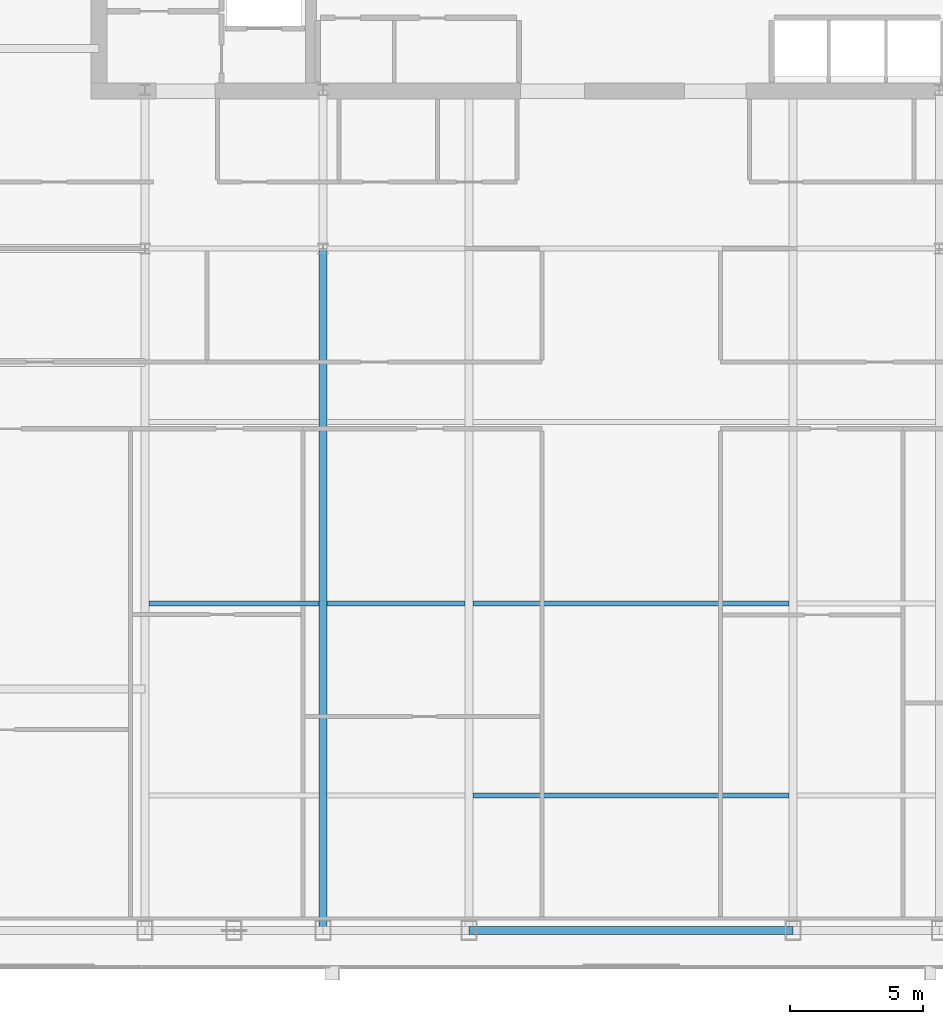
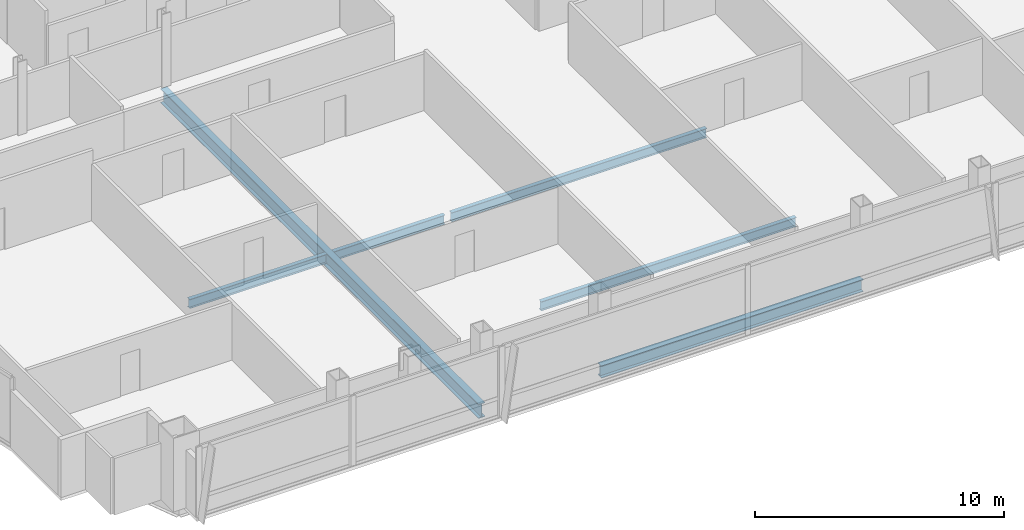
# One storey, part 9 of 30: 6 beams.
"""IFC4 building model written with IfcOpenShell, lengths in metres."""

import ifcopenshell
import ifcopenshell.guid

model = None  # the IFC model being written
_history = None  # IfcOwnerHistory: only IFC2X3 demands one
_inside = {}  # id of a spatial element -> (the spatial element, [elements in it])
_under = {}  # id of a project, library or spatial element -> (it, [spatial elements below it])
_declared = {}  # id of a project -> (the project, [libraries it declares])
_typed = {}  # id of a type object -> (the type object, [elements of that type])
_made_of = {}  # id of a material, layer set ... -> (it, [elements and type objects made of it])


def new_model(schema):
    """Start an empty IFC model of exactly this schema.

    Asked for "IFC4X3", IfcOpenShell would pick the latest addendum, in which some entities
    have other attributes; the version numbers below select the first issue.
    IFC2X3 requires an IfcOwnerHistory on every rooted entity: one is made here for all.
    """
    global model, _history
    if schema == "IFC4X3":
        model = ifcopenshell.file(schema_version=(4, 3, 0, 0))
    else:
        model = ifcopenshell.file(schema=schema)
    _inside.clear()
    _under.clear()
    _declared.clear()
    _typed.clear()
    _made_of.clear()
    _history = None
    if model.schema == "IFC2X3":
        org = make("IfcOrganization", Name="unknown")
        user = make(
            "IfcPersonAndOrganization",
            ThePerson=make("IfcPerson", FamilyName="unknown"),
            TheOrganization=org,
        )
        app = make(
            "IfcApplication",
            ApplicationDeveloper=org,
            Version="unknown",
            ApplicationFullName="unknown",
            ApplicationIdentifier="unknown",
        )
        _history = make(
            "IfcOwnerHistory",
            OwningUser=user,
            OwningApplication=app,
            ChangeAction="ADDED",
            CreationDate=0,
        )
    return model


def make(cls, **values):
    """One entity of the class cls with the attributes given. An attribute that is None is left unset."""
    return model.create_entity(
        cls, **{name: value for name, value in values.items() if value is not None}
    )


def rooted(cls, **values):
    """An entity with a GlobalId (a new one), such as an element, a storey or a relation."""
    return make(cls, GlobalId=ifcopenshell.guid.new(), OwnerHistory=_history, **values)


def si_unit(unit_type, name, prefix=None):
    """IfcSIUnit, for example si_unit("LENGTHUNIT", "METRE", prefix="MILLI")."""
    return make("IfcSIUnit", UnitType=unit_type, Prefix=prefix, Name=name)


def assignment(units):
    """IfcUnitAssignment: the units of a project."""
    return None if units is None else make("IfcUnitAssignment", Units=units)


def point(xyz):
    """IfcCartesianPoint."""
    return None if xyz is None else make("IfcCartesianPoint", Coordinates=xyz)


def direction(xyz):
    """IfcDirection."""
    return None if xyz is None else make("IfcDirection", DirectionRatios=xyz)


def frame(location, z_axis=None, x_axis=None):
    """IfcAxis2Placement3D, a coordinate frame: its origin and axes. An axis left out is left unset."""
    return make(
        "IfcAxis2Placement3D",
        Location=point(location),
        Axis=direction(z_axis),
        RefDirection=direction(x_axis),
    )


def frame_2d(location, x_axis=None):
    """IfcAxis2Placement2D, a coordinate frame in the plane: its origin and x axis."""
    return make(
        "IfcAxis2Placement2D", Location=point(location), RefDirection=direction(x_axis)
    )


def origin():
    """The frame at (0, 0, 0) with its axes left unset."""
    return frame((0.0, 0.0, 0.0))


def origin_2d():
    """The frame at (0, 0) in the plane with its x axis left unset."""
    return frame_2d((0.0, 0.0))


def place(relative_to, where):
    """IfcLocalPlacement: puts the frame where relative to a parent placement (None: the world)."""
    return make(
        "IfcLocalPlacement", PlacementRelTo=relative_to, RelativePlacement=where
    )


def context(
    kind, dimensions, precision=None, world=None, true_north=None, identifier=None
):
    """IfcGeometricRepresentationContext, for example the 3D "Model" context."""
    return make(
        "IfcGeometricRepresentationContext",
        ContextIdentifier=identifier,
        ContextType=kind,
        CoordinateSpaceDimension=dimensions,
        Precision=precision,
        WorldCoordinateSystem=world,
        TrueNorth=true_north,
    )


def subcontext(parent, identifier, kind, view, scale=None):
    """IfcGeometricRepresentationSubContext, for example "Body" below "Model"."""
    return make(
        "IfcGeometricRepresentationSubContext",
        ContextIdentifier=identifier,
        ContextType=kind,
        ParentContext=parent,
        TargetScale=scale,
        TargetView=view,
    )


def project(units=None, contexts=None):
    """IfcProject with its units and contexts."""
    return rooted(
        "IfcProject",
        Name="project",
        RepresentationContexts=contexts,
        UnitsInContext=assignment(units),
    )


def spatial(cls, under=None, at=None, **own):
    """A site, building, storey or space (cls), placed at a placement, below another one or the project."""
    s = rooted(cls, ObjectPlacement=at, **own)
    if under is not None:
        _under.setdefault(under.id(), (under, []))[1].append(s)
    return s


def profile(cls, at=None, kind="AREA", **sizes):
    """A parametric profile (cls). Its sizes go by their IFC names, for example OverallWidth=200.0."""
    return make(cls, ProfileType=kind, Position=at, **sizes)


def i_section(**sizes):
    """IfcIShapeProfileDef."""
    return profile("IfcIShapeProfileDef", **sizes)


def extrude(swept, where, along, depth):
    """IfcExtrudedAreaSolid: the profile swept, set in the frame where, extruded along a direction by depth."""
    return make(
        "IfcExtrudedAreaSolid",
        SweptArea=swept,
        Position=where,
        ExtrudedDirection=direction(along),
        Depth=depth,
    )


def shape(context_of_items, identifier, shape_type, items):
    """IfcShapeRepresentation: the items that make up one representation, for example the "Body"."""
    return make(
        "IfcShapeRepresentation",
        ContextOfItems=context_of_items,
        RepresentationIdentifier=identifier,
        RepresentationType=shape_type,
        Items=items,
    )


def material(Name=None, Category=None):
    """IfcMaterial."""
    return make("IfcMaterial", Name=Name, Category=Category)


def material_profile(
    of_material, cross_section, Name=None, Category=None, Priority=None
):
    """IfcMaterialProfile: a cross section and its material."""
    return make(
        "IfcMaterialProfile",
        Name=Name,
        Material=of_material,
        Profile=cross_section,
        Priority=Priority,
        Category=Category,
    )


def profile_set(profiles, Name=None, composite=None):
    """IfcMaterialProfileSet."""
    return make(
        "IfcMaterialProfileSet",
        Name=Name,
        MaterialProfiles=profiles,
        CompositeProfile=composite,
    )


def made_of(thing, what):
    """Note that an element or type object is made of a material, layer set ...; save() writes the relation."""
    if what is not None:
        _made_of.setdefault(what.id(), (what, []))[1].append(thing)
    return thing


def type_object(cls, material=None, **own):
    """A type object (cls), such as IfcWallType, which elements share."""
    return made_of(rooted(cls, **own), material)


def element(
    cls,
    number,
    at=None,
    inside=None,
    cuts=None,
    type_object=None,
    material=None,
    context=None,
    identifier="Body",
    shape_type=None,
    held_by="IfcProductDefinitionShape",
    body=None,
    shapes=None,
    **own,
):
    """One element of the class cls, such as IfcWall. Its Tag is "e" and its number.

    at: its placement. inside: the storey or other place that contains it. cuts: it is an
    opening in that element (IfcRelVoidsElement). A single representation is given by context,
    identifier, shape_type and body (its items); several are given by shapes. held_by: the class
    of the entity that holds the representations. save() writes the other relations.
    """
    e = rooted(cls, Tag="e%d" % number, ObjectPlacement=at, **own)
    if body is not None:
        shapes = [shape(context, identifier, shape_type, body)]
    if shapes is not None:
        e.Representation = make(held_by, Representations=shapes)
    if inside is not None:
        _inside.setdefault(inside.id(), (inside, []))[1].append(e)
    if cuts is not None:
        rooted(
            "IfcRelVoidsElement", RelatingBuildingElement=cuts, RelatedOpeningElement=e
        )
    if type_object is not None:
        _typed.setdefault(type_object.id(), (type_object, []))[1].append(e)
    return made_of(e, material)


def aggregate(whole, parts):
    """IfcRelAggregates: a whole, such as a stair, and the parts it consists of."""
    return rooted("IfcRelAggregates", RelatingObject=whole, RelatedObjects=parts)


def save(model, path):
    """Write the relations noted so far, then the file.

    IfcRelAggregates (storeys below a building ...), IfcRelContainedInSpatialStructure (elements
    in a storey), IfcRelDefinesByType, IfcRelAssociatesMaterial and IfcRelDeclares: one each for
    every whole, place, type object, material and project.
    """
    for whole, parts in _under.values():
        aggregate(whole, parts)
    for where, things in _inside.values():
        rooted(
            "IfcRelContainedInSpatialStructure",
            RelatedElements=things,
            RelatingStructure=where,
        )
    for kind, things in _typed.values():
        rooted("IfcRelDefinesByType", RelatedObjects=things, RelatingType=kind)
    for what, things in _made_of.values():
        rooted("IfcRelAssociatesMaterial", RelatedObjects=things, RelatingMaterial=what)
    for by, libraries in _declared.values():
        rooted("IfcRelDeclares", RelatingContext=by, RelatedDefinitions=libraries)
    model.write(path)


model = new_model("IFC4")

# Units and contexts
model_context = context("Model", 3, precision=1e-05, world=origin(), true_north=direction((0.0, 1.0)))
body_context = subcontext(model_context, "Body", "Model", "MODEL_VIEW")
ifc_project = project(units=[si_unit("LENGTHUNIT", "METRE"), si_unit("AREAUNIT", "SQUARE_METRE"), si_unit("VOLUMEUNIT", "CUBIC_METRE"), si_unit("PLANEANGLEUNIT", "RADIAN"), si_unit("MASSUNIT", "GRAM", prefix="KILO")], contexts=[model_context])

# Site, building, storey
site_placement = place(None, origin())
site = spatial("IfcSite", under=ifc_project, at=site_placement, CompositionType="ELEMENT")
building_placement = place(site_placement, origin())
building = spatial("IfcBuilding", under=site, at=building_placement, Name="Khoronbel Lancet Exchange", CompositionType="ELEMENT")
storey_placement = place(building_placement, frame((0.0, 0.0, 217.39990234375)))
storey = spatial("IfcBuildingStorey", under=building, at=storey_placement, Name="L55", CompositionType="ELEMENT", Elevation=217.39990234375)

# Beams
ifc_material = material(Name="Steel S355", Category="steel")
ifc_material_profile_1 = material_profile(ifc_material, i_section(OverallWidth=0.300048828125, OverallDepth=0.699951171875, WebThickness=0.01708984375, FlangeThickness=0.031982421875, at=origin_2d()), Name="HEB 700")
ifc_profile_set_1 = profile_set([ifc_material_profile_1], Name="Steel S355")
beam_type_1 = type_object("IfcBeamType", Name="BM-BG3", PredefinedType="BEAM", material=ifc_profile_set_1)
beam_1_placement = place(storey_placement, frame((24.89990234375, 10.14990234375, -0.510009765625), z_axis=(0.0, 1.0, 0.0), x_axis=(-1.0, 0.0, 0.0)))
element("IfcBeam", 1, at=beam_1_placement, inside=storey, type_object=beam_type_1, Name="Level L55 south primary girder GS2", PredefinedType="BEAM", context=body_context, shape_type="SweptSolid", body=[
    extrude(i_section(OverallWidth=0.300048828125, OverallDepth=0.699951171875, WebThickness=0.01708984375, FlangeThickness=0.031982421875, at=origin_2d()), origin(), (0.0, 0.0, 1.0), 25.550048828125),
])
ifc_material_profile_2 = material_profile(ifc_material, i_section(OverallWidth=0.18994140625, OverallDepth=0.449951171875, WebThickness=0.009521484375, FlangeThickness=0.0146484375, at=origin_2d()), Name="IPE 450")
ifc_profile_set_2 = profile_set([ifc_material_profile_2], Name="Steel S355")
beam_type_2 = type_object("IfcBeamType", Name="BM-BJ4", PredefinedType="JOIST", material=ifc_profile_set_2)
beam_2_placement = place(storey_placement, frame((30.52490234375, 15.199951171875, -0.385009765625), z_axis=(1.0, 0.0, 0.0), x_axis=(0.0, 1.0, 0.0)))
element("IfcBeam", 2, at=beam_2_placement, inside=storey, type_object=beam_type_2, Name="Level L55 secondary composite joist J03", PredefinedType="JOIST", context=body_context, shape_type="SweptSolid", body=[
    extrude(i_section(OverallWidth=0.18994140625, OverallDepth=0.449951171875, WebThickness=0.009521484375, FlangeThickness=0.0146484375, at=origin_2d()), origin(), (0.0, 0.0, 1.0), 11.85009765625),
])
beam_3_placement = place(storey_placement, frame((18.375, 22.39990234375, -0.385009765625), z_axis=(1.0, 0.0, 0.0), x_axis=(0.0, 1.0, 0.0)))
element("IfcBeam", 3, at=beam_3_placement, inside=storey, type_object=beam_type_2, Name="Level L55 secondary composite joist J06", PredefinedType="JOIST", context=body_context, shape_type="SweptSolid", body=[
    extrude(i_section(OverallWidth=0.18994140625, OverallDepth=0.449951171875, WebThickness=0.009521484375, FlangeThickness=0.0146484375, at=origin_2d()), origin(), (0.0, 0.0, 1.0), 6.375),
])
beam_4_placement = place(storey_placement, frame((25.050048828125, 22.39990234375, -0.385009765625), z_axis=(1.0, 0.0, 0.0), x_axis=(0.0, 1.0, 0.0)))
element("IfcBeam", 4, at=beam_4_placement, inside=storey, type_object=beam_type_2, Name="Level L55 secondary composite joist J07", PredefinedType="JOIST", context=body_context, shape_type="SweptSolid", body=[
    extrude(i_section(OverallWidth=0.18994140625, OverallDepth=0.449951171875, WebThickness=0.009521484375, FlangeThickness=0.0146484375, at=origin_2d()), origin(), (0.0, 0.0, 1.0), 5.175048828125),
])
beam_5_placement = place(storey_placement, frame((30.52490234375, 22.39990234375, -0.385009765625), z_axis=(1.0, 0.0, 0.0), x_axis=(0.0, 1.0, 0.0)))
element("IfcBeam", 5, at=beam_5_placement, inside=storey, type_object=beam_type_2, Name="Level L55 secondary composite joist J08", PredefinedType="JOIST", context=body_context, shape_type="SweptSolid", body=[
    extrude(i_section(OverallWidth=0.18994140625, OverallDepth=0.449951171875, WebThickness=0.009521484375, FlangeThickness=0.0146484375, at=origin_2d()), origin(), (0.0, 0.0, 1.0), 11.85009765625),
])
ifc_material_profile_3 = material_profile(ifc_material, i_section(OverallWidth=0.300048828125, OverallDepth=0.60009765625, WebThickness=0.015380859375, FlangeThickness=0.030029296875, at=origin_2d()), Name="HEB 600")
ifc_profile_set_3 = profile_set([ifc_material_profile_3], Name="Steel S355")
beam_type_3 = type_object("IfcBeamType", Name="BM-BSP2", PredefinedType="SPANDREL", material=ifc_profile_set_3)
beam_6_placement = place(storey_placement, frame((30.375, 10.14990234375, -0.4599609375), z_axis=(1.0, 0.0, 0.0), x_axis=(0.0, 1.0, 0.0)))
element("IfcBeam", 6, at=beam_6_placement, inside=storey, type_object=beam_type_3, Name="Level L55 perimeter spandrel beam SP05", PredefinedType="SPANDREL", context=body_context, shape_type="SweptSolid", body=[
    extrude(i_section(OverallWidth=0.300048828125, OverallDepth=0.60009765625, WebThickness=0.015380859375, FlangeThickness=0.030029296875, at=origin_2d()), origin(), (0.0, 0.0, 1.0), 12.14990234375),
])

save(model, "model.ifc")
